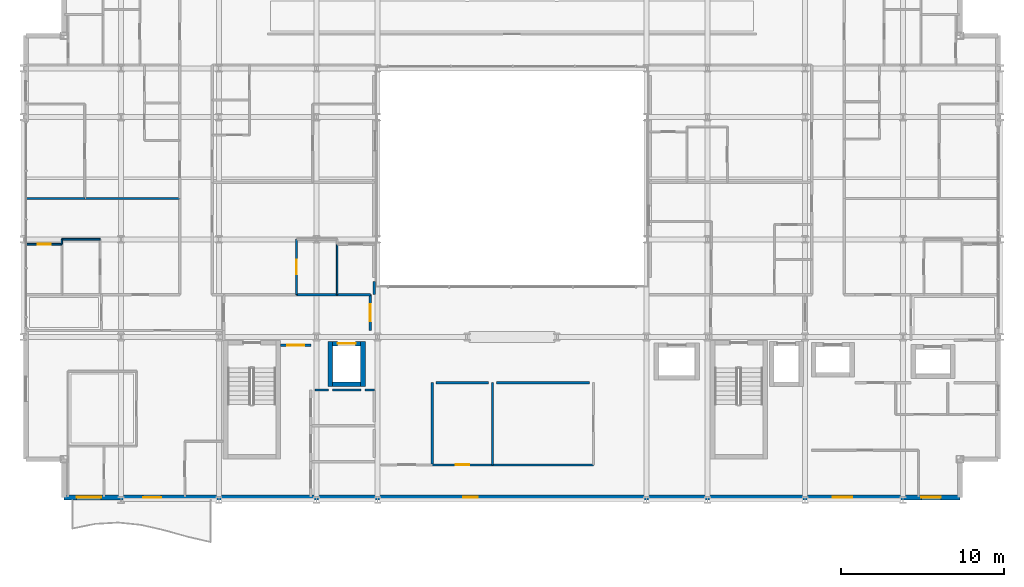
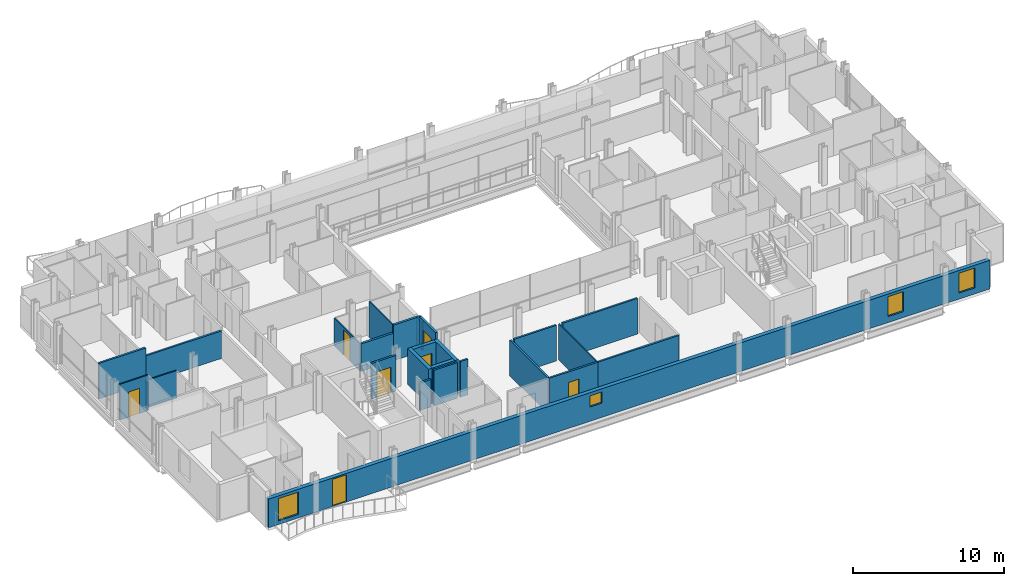
# One storey, part 32 of 41: 26 walls, 7 doors, 4 windows, 11 openings.
"""IFC4 building model written with IfcOpenShell, lengths in metres."""

from ifc_helpers import new_model, si_unit, direction, frame, frame_2d, origin, place, context, subcontext, project, spatial, rectangle, extrude, material, layer, layer_set, type_object, element, fill, save


model = new_model("IFC4")

# Units and contexts
model_context = context("Model", 3, precision=1e-05, world=origin(), true_north=direction((0.0, 1.0)))
body_context = subcontext(model_context, "Body", "Model", "MODEL_VIEW")
ifc_project = project(units=[si_unit("LENGTHUNIT", "METRE"), si_unit("AREAUNIT", "SQUARE_METRE"), si_unit("VOLUMEUNIT", "CUBIC_METRE"), si_unit("PLANEANGLEUNIT", "RADIAN"), si_unit("MASSUNIT", "GRAM", prefix="KILO")], contexts=[model_context])

# Site, building, storey
site_placement = place(None, origin())
site = spatial("IfcSite", under=ifc_project, at=site_placement, CompositionType="ELEMENT")
building_placement = place(site_placement, origin())
building = spatial("IfcBuilding", under=site, at=building_placement, Name="Brevholm Reach", CompositionType="ELEMENT")
storey_placement = place(building_placement, frame((0.0, 0.0, 55.89990234375)))
storey = spatial("IfcBuildingStorey", under=building, at=storey_placement, Name="L15", CompositionType="ELEMENT", Elevation=55.89990234375)

# Walls
ifc_material_1 = material(Name="Concrete C50/60", Category="concrete")
ifc_layer_1 = layer(ifc_material_1, 0.280029296875)
ifc_layer_set_1 = layer_set([ifc_layer_1], Name="Concrete C50/60")
wall_type_1 = type_object("IfcWallType", Name="WAL-COR-280", PredefinedType="SHEAR", material=ifc_layer_set_1)
for number, where, z_axis, x_axis, name in (
    (1, (18.85009765625, 6.9599609375, 0.0), (0.0, 0.0, 1.0), (0.0, 1.0, 0.0), "L15 Lift FFL-1 Shaft Wall W"),
    (2, (20.85009765625, 6.9599609375, 0.0), (0.0, 0.0, 1.0), (0.0, 1.0, 0.0), "L15 Lift FFL-1 Shaft Wall E"),
):
    element("IfcWall", number, at=place(storey_placement, frame(where, z_axis=z_axis, x_axis=x_axis)), inside=storey, type_object=wall_type_1, Name=name, PredefinedType="SHEAR", context=body_context, shape_type="SweptSolid", body=[
        extrude(rectangle(XDim=2.780029296875, YDim=0.280029296875, at=frame_2d((1.39013671875, 0.0))), origin(), (0.0, 0.0, 1.0), 2.8701171875),
    ])
wall_1_placement = place(storey_placement, frame((18.989990234375, 7.10009765625, 0.0), z_axis=(0.0, 0.0, 1.0), x_axis=(1.0, 0.0, 0.0)))
element("IfcWall", 3, at=wall_1_placement, inside=storey, type_object=wall_type_1, Name="L15 Lift FFL-1 Shaft Wall S", PredefinedType="SHEAR", context=body_context, shape_type="SweptSolid", body=[
    extrude(rectangle(XDim=1.719970703125, YDim=0.280029296875, at=frame_2d((0.85986328125, 0.0))), origin(), (0.0, 0.0, 1.0), 2.8701171875),
])

# Wall, opening, door
wall_2_placement = place(storey_placement, frame((18.989990234375, 9.60009765625, 0.0), z_axis=(0.0, 0.0, 1.0), x_axis=(1.0, 0.0, 0.0)))
wall_2 = element("IfcWall", 4, at=wall_2_placement, inside=storey, type_object=wall_type_1, Name="L15 Lift FFL-1 Shaft Wall N", PredefinedType="SHEAR", context=body_context, shape_type="SweptSolid", body=[
    extrude(rectangle(XDim=1.719970703125, YDim=0.280029296875, at=frame_2d((0.85986328125, 0.0))), origin(), (0.0, 0.0, 1.0), 2.8701171875),
])
opening_1_placement = place(wall_2_placement, frame((0.31005859375, 0.0, 0.0)))
opening_1 = element("IfcOpeningElement", 5, at=opening_1_placement, cuts=wall_2, Name="Opening LD-FFL-1", PredefinedType="OPENING", context=body_context, shape_type="SweptSolid", body=[
    extrude(rectangle(XDim=1.10009765625, YDim=2.06005859375, at=frame_2d((0.550048828125, 1.030029296875))), frame((0.0, 0.14990234375, 0.0), z_axis=(0.0, -1.0, 0.0), x_axis=(1.0, 0.0, 0.0)), (0.0, 0.0, 1.0), 0.300048828125),
])
ifc_material_2 = material(Name="Brushed Stainless Steel Fire-Rated Sliding Lift Door", Category="steel")
door_type_1 = type_object("IfcDoorType", Name="DOR-LFT-1100", OperationType="NOTDEFINED", PredefinedType="DOOR", material=ifc_material_2)
door_1_placement = place(opening_1_placement, origin())
door_1 = element("IfcDoor", 6, at=door_1_placement, inside=storey, type_object=door_type_1, Name="L15 Lift FFL-1 Sliding Landing Door", OperationType="SLIDING_TO_LEFT", OverallHeight=2.06005859375, OverallWidth=1.10009765625, PredefinedType="DOOR", context=body_context, shape_type="SweptSolid", body=[
    extrude(rectangle(XDim=1.10009765625, YDim=2.06005859375, at=frame_2d((0.550048828125, 1.030029296875))), frame((0.0, 0.02490234375, 0.0), z_axis=(0.0, -1.0, 0.0), x_axis=(1.0, 0.0, 0.0)), (0.0, 0.0, 1.0), 0.050048828125),
])
fill(opening_1, door_1)

# Wall, openings, door, windows
ifc_material_3 = material(Name="Concrete C40/50", Category="concrete")
ifc_layer_2 = layer(ifc_material_3, 0.300048828125)
ifc_layer_set_2 = layer_set([ifc_layer_2], Name="Concrete C40/50")
wall_type_2 = type_object("IfcWallType", Name="WAL-EXT-300", PredefinedType="STANDARD", material=ifc_layer_set_2)
wall_3_placement = place(storey_placement, frame((2.5, 0.14990234375, 0.0), z_axis=(0.0, 0.0, 1.0), x_axis=(1.0, 0.0, 0.0)))
wall_3 = element("IfcWall", 7, at=wall_3_placement, inside=storey, type_object=wall_type_2, Name="L15 Facade Wall WAL-L15-S", PredefinedType="STANDARD", context=body_context, shape_type="SweptSolid", body=[
    extrude(rectangle(XDim=55.0, YDim=0.300048828125, at=frame_2d((27.5, 0.0))), origin(), (0.0, 0.0, 1.0), 2.3056640625),
])
opening_2_placement = place(wall_3_placement, frame((4.85009765625, 0.0, 0.0)))
opening_2 = element("IfcOpeningElement", 8, at=opening_2_placement, cuts=wall_3, Name="Opening BD-01", PredefinedType="OPENING", context=body_context, shape_type="SweptSolid", body=[
    extrude(rectangle(XDim=1.10009765625, YDim=2.199951171875, at=frame_2d((0.550048828125, 1.10009765625))), frame((0.0, 0.159912109375, 0.0), z_axis=(0.0, -1.0, 0.0), x_axis=(1.0, 0.0, 0.0)), (0.0, 0.0, 1.0), 0.320068359375),
])
opening_3_placement = place(wall_3_placement, frame((0.76708984375, 0.0, 0.285888671875)))
opening_3 = element("IfcOpeningElement", 9, at=opening_3_placement, cuts=wall_3, Name="Opening WN-05", PredefinedType="OPENING", context=body_context, shape_type="SweptSolid", body=[
    extrude(rectangle(XDim=1.5, YDim=1.800048828125, at=frame_2d((0.75, 0.89990234375))), frame((0.0, 0.159912109375, 0.0), z_axis=(0.0, -1.0, 0.0), x_axis=(1.0, 0.0, 0.0)), (0.0, 0.0, 1.0), 0.320068359375),
])
opening_4_placement = place(wall_3_placement, frame((24.5, 0.0, 1.14990234375)))
opening_4 = element("IfcOpeningElement", 10, at=opening_4_placement, cuts=wall_3, Name="Opening WN-09", PredefinedType="OPENING", context=body_context, shape_type="SweptSolid", body=[
    extrude(rectangle(XDim=0.89990234375, YDim=0.89990234375, at=frame_2d((0.449951171875, 0.449951171875))), frame((0.0, 0.159912109375, 0.0), z_axis=(0.0, -1.0, 0.0), x_axis=(1.0, 0.0, 0.0)), (0.0, 0.0, 1.0), 0.320068359375),
])
opening_5_placement = place(wall_3_placement, frame((47.199951171875, 0.0, 0.486083984375)))
opening_5 = element("IfcOpeningElement", 11, at=opening_5_placement, cuts=wall_3, Name="Opening WN-08", PredefinedType="OPENING", context=body_context, shape_type="SweptSolid", body=[
    extrude(rectangle(XDim=1.199951171875, YDim=1.60009765625, at=frame_2d((0.60009765625, 0.800048828125))), frame((0.0, 0.159912109375, 0.0), z_axis=(0.0, -1.0, 0.0), x_axis=(1.0, 0.0, 0.0)), (0.0, 0.0, 1.0), 0.320068359375),
])
opening_6_placement = place(wall_3_placement, frame((52.6298828125, 0.0, 0.486083984375)))
opening_6 = element("IfcOpeningElement", 12, at=opening_6_placement, cuts=wall_3, Name="Opening WN-08", PredefinedType="OPENING", context=body_context, shape_type="SweptSolid", body=[
    extrude(rectangle(XDim=1.199951171875, YDim=1.60009765625, at=frame_2d((0.60009765625, 0.800048828125))), frame((0.0, 0.159912109375, 0.0), z_axis=(0.0, -1.0, 0.0), x_axis=(1.0, 0.0, 0.0)), (0.0, 0.0, 1.0), 0.320068359375),
])
ifc_material_4 = material(Name="Dark Anodised Aluminium and Triple-Glazed Glass", Category="aluminium")
door_type_2 = type_object("IfcDoorType", Name="DOR-BALC-1100", OperationType="NOTDEFINED", PredefinedType="DOOR", material=ifc_material_4)
door_2_placement = place(opening_2_placement, origin())
door_2 = element("IfcDoor", 13, at=door_2_placement, inside=storey, type_object=door_type_2, Name="L15 Exterior Door DOR-L15-BL-SW", OperationType="SINGLE_SWING_RIGHT", OverallHeight=2.199951171875, OverallWidth=1.10009765625, PredefinedType="DOOR", context=body_context, shape_type="SweptSolid", body=[
    extrude(rectangle(XDim=1.10009765625, YDim=2.199951171875, at=frame_2d((0.550048828125, 1.10009765625))), frame((0.0, 0.02490234375, 0.0), z_axis=(0.0, -1.0, 0.0), x_axis=(1.0, 0.0, 0.0)), (0.0, 0.0, 1.0), 0.050048828125),
])
fill(opening_2, door_2)
ifc_material_5 = material(Name="Dark Anodised Aluminium and Solar-Control IGU Glass", Category="aluminium")
window_type_1 = type_object("IfcWindowType", Name="WIN-POR-0900", PartitioningType="SINGLE_PANEL", PredefinedType="WINDOW", material=ifc_material_5)
window_1_placement = place(opening_4_placement, origin())
window_1 = element("IfcWindow", 14, at=window_1_placement, inside=storey, type_object=window_type_1, Name="L15 Window WIN-L15-S-POR", OverallHeight=0.89990234375, OverallWidth=0.89990234375, PartitioningType="SINGLE_PANEL", PredefinedType="WINDOW", context=body_context, shape_type="SweptSolid", body=[
    extrude(rectangle(XDim=0.89990234375, YDim=0.89990234375, at=frame_2d((0.449951171875, 0.449951171875))), frame((0.0, 0.030029296875, 0.0), z_axis=(0.0, -1.0, 0.0), x_axis=(1.0, 0.0, 0.0)), (0.0, 0.0, 1.0), 0.06005859375),
])
fill(opening_4, window_1)
ifc_material_6 = material(Name="Dark Anodised Aluminium and Solar-Control IGU Glass", Category="aluminium")
window_type_2 = type_object("IfcWindowType", Name="WIN-RES-1200", PartitioningType="SINGLE_PANEL", PredefinedType="WINDOW", material=ifc_material_6)
window_2_placement = place(opening_5_placement, origin())
window_2 = element("IfcWindow", 15, at=window_2_placement, inside=storey, type_object=window_type_2, Name="L15 Window WIN-L15-S-E1", OverallHeight=1.60009765625, OverallWidth=1.199951171875, PartitioningType="SINGLE_PANEL", PredefinedType="WINDOW", context=body_context, shape_type="SweptSolid", body=[
    extrude(rectangle(XDim=1.199951171875, YDim=1.60009765625, at=frame_2d((0.60009765625, 0.800048828125))), frame((0.0, 0.030029296875, 0.0), z_axis=(0.0, -1.0, 0.0), x_axis=(1.0, 0.0, 0.0)), (0.0, 0.0, 1.0), 0.06005859375),
])
fill(opening_5, window_2)
window_3_placement = place(opening_6_placement, origin())
window_3 = element("IfcWindow", 16, at=window_3_placement, inside=storey, type_object=window_type_2, Name="L15 Window WIN-L15-S-E2", OverallHeight=1.60009765625, OverallWidth=1.199951171875, PartitioningType="SINGLE_PANEL", PredefinedType="WINDOW", context=body_context, shape_type="SweptSolid", body=[
    extrude(rectangle(XDim=1.199951171875, YDim=1.60009765625, at=frame_2d((0.60009765625, 0.800048828125))), frame((0.0, 0.030029296875, 0.0), z_axis=(0.0, -1.0, 0.0), x_axis=(1.0, 0.0, 0.0)), (0.0, 0.0, 1.0), 0.06005859375),
])
fill(opening_6, window_3)
ifc_material_7 = material(Name="Dark Anodised Aluminium and Solar-Control IGU Glass", Category="aluminium")
window_type_3 = type_object("IfcWindowType", Name="WIN-RES-1500", PartitioningType="SINGLE_PANEL", PredefinedType="WINDOW", material=ifc_material_7)
window_4_placement = place(opening_3_placement, origin())
window_4 = element("IfcWindow", 17, at=window_4_placement, inside=storey, type_object=window_type_3, Name="L15 Window WIN-L15-S-W1", OverallHeight=1.800048828125, OverallWidth=1.5, PartitioningType="SINGLE_PANEL", PredefinedType="WINDOW", context=body_context, shape_type="SweptSolid", body=[
    extrude(rectangle(XDim=1.5, YDim=1.800048828125, at=frame_2d((0.75, 0.89990234375))), frame((0.0, 0.030029296875, 0.0), z_axis=(0.0, -1.0, 0.0), x_axis=(1.0, 0.0, 0.0)), (0.0, 0.0, 1.0), 0.06005859375),
])
fill(opening_3, window_4)

# Wall
ifc_material_8 = material(Name="Moisture-Resistant Acoustic Gypsum Stud Partition 100 mm", Category="gypsum")
ifc_layer_3 = layer(ifc_material_8, 0.10009765625)
ifc_layer_set_3 = layer_set([ifc_layer_3], Name="Moisture-Resistant Acoustic Gypsum Stud Partition 100 mm")
wall_type_3 = type_object("IfcWallType", Name="WAL-PRT-100", PredefinedType="PARTITIONING", material=ifc_layer_set_3)
wall_4_placement = place(storey_placement, frame((28.800048828125, 2.154052734375, 0.0), z_axis=(0.0, 0.0, 1.0), x_axis=(0.0, 1.0, 0.0)))
element("IfcWall", 18, at=wall_4_placement, inside=storey, type_object=wall_type_3, Name="L15 Internal Partition 006", PredefinedType="PARTITIONING", context=body_context, shape_type="SweptSolid", body=[
    extrude(rectangle(XDim=5.0458984375, YDim=0.10009765625, at=frame_2d((2.52294921875, 0.0))), origin(), (0.0, 0.0, 1.0), 2.8701171875),
])

# Wall, opening, door
wall_5_placement = place(storey_placement, frame((0.199951171875, 15.699951171875, 0.0), z_axis=(0.0, 0.0, 1.0), x_axis=(1.0, 0.0, 0.0)))
wall_5 = element("IfcWall", 19, at=wall_5_placement, inside=storey, type_object=wall_type_3, Name="L15 Internal Partition 080", PredefinedType="PARTITIONING", context=body_context, shape_type="SweptSolid", body=[
    extrude(rectangle(XDim=2.162109375, YDim=0.10009765625, at=frame_2d((1.0810546875, 0.0))), origin(), (0.0, 0.0, 1.0), 2.8701171875),
])
opening_7_placement = place(wall_5_placement, frame((0.6708984375, 0.0, 0.0)))
opening_7 = element("IfcOpeningElement", 20, at=opening_7_placement, cuts=wall_5, Name="Opening ID-03", PredefinedType="OPENING", context=body_context, shape_type="SweptSolid", body=[
    extrude(rectangle(XDim=0.820068359375, YDim=2.02001953125, at=frame_2d((0.41015625, 1.010009765625))), frame((0.0, 0.06005859375, 0.0), z_axis=(0.0, -1.0, 0.0), x_axis=(1.0, 0.0, 0.0)), (0.0, 0.0, 1.0), 0.1201171875),
])
ifc_material_9 = material(Name="Moisture-Resistant Painted Timber Internal Bathroom Door", Category="wood")
door_type_3 = type_object("IfcDoorType", Name="DOR-BATH-820", OperationType="NOTDEFINED", PredefinedType="DOOR", material=ifc_material_9)
door_3_placement = place(opening_7_placement, origin())
door_3 = element("IfcDoor", 21, at=door_3_placement, inside=storey, type_object=door_type_3, Name="L15 Internal Door 033", OperationType="SINGLE_SWING_RIGHT", OverallHeight=2.02001953125, OverallWidth=0.820068359375, PredefinedType="DOOR", context=body_context, shape_type="SweptSolid", body=[
    extrude(rectangle(XDim=0.820068359375, YDim=2.02001953125, at=frame_2d((0.41015625, 1.010009765625))), frame((0.0, 0.02490234375, 0.0), z_axis=(0.0, -1.0, 0.0), x_axis=(1.0, 0.0, 0.0)), (0.0, 0.0, 1.0), 0.050048828125),
])
fill(opening_7, door_3)

# Walls
wall_6_placement = place(storey_placement, frame((2.362060546875, 16.0, 0.0), z_axis=(0.0, 0.0, 1.0), x_axis=(1.0, 0.0, 0.0)))
element("IfcWall", 22, at=wall_6_placement, inside=storey, type_object=wall_type_3, Name="L15 Internal Partition 082", PredefinedType="PARTITIONING", context=body_context, shape_type="SweptSolid", body=[
    extrude(rectangle(XDim=2.349853515625, YDim=0.10009765625, at=frame_2d((1.1748046875, 0.0))), origin(), (0.0, 0.0, 1.0), 2.224853515625),
])
wall_7_placement = place(storey_placement, frame((2.362060546875, 15.7041015625, 0.0), z_axis=(0.0, 0.0, 1.0), x_axis=(0.0, 1.0, 0.0)))
element("IfcWall", 23, at=wall_7_placement, inside=storey, type_object=wall_type_3, Name="L15 Internal Partition 083", PredefinedType="PARTITIONING", context=body_context, shape_type="SweptSolid", body=[
    extrude(rectangle(XDim=0.2958984375, YDim=0.10009765625, at=frame_2d((0.14794921875, 0.0))), origin(), (0.0, 0.0, 1.0), 2.224853515625),
])
wall_8_placement = place(storey_placement, frame((19.260986328125, 12.60400390625, 0.0), z_axis=(0.0, 0.0, 1.0), x_axis=(0.0, 1.0, 0.0)))
element("IfcWall", 24, at=wall_8_placement, inside=storey, type_object=wall_type_3, Name="L15 Internal Partition 097", PredefinedType="PARTITIONING", context=body_context, shape_type="SweptSolid", body=[
    extrude(rectangle(XDim=3.095947265625, YDim=0.10009765625, at=frame_2d((1.5478515625, 0.0))), origin(), (0.0, 0.0, 1.0), 2.8701171875),
])

# Wall, opening, door
wall_9_placement = place(storey_placement, frame((16.77294921875, 12.60400390625, 0.0), z_axis=(0.0, 0.0, 1.0), x_axis=(0.0, 1.0, 0.0)))
wall_9 = element("IfcWall", 25, at=wall_9_placement, inside=storey, type_object=wall_type_3, Name="L15 Internal Partition 101", PredefinedType="PARTITIONING", context=body_context, shape_type="SweptSolid", body=[
    extrude(rectangle(XDim=3.39599609375, YDim=0.10009765625, at=frame_2d((1.697998046875, 0.0))), origin(), (0.0, 0.0, 1.0), 2.224853515625),
])
opening_8_placement = place(wall_9_placement, frame((1.258056640625, 0.0, 0.0)))
opening_8 = element("IfcOpeningElement", 26, at=opening_8_placement, cuts=wall_9, Name="Opening ID-01", PredefinedType="OPENING", context=body_context, shape_type="SweptSolid", body=[
    extrude(rectangle(XDim=0.8798828125, YDim=2.0400390625, at=frame_2d((0.43994140625, 1.02001953125))), frame((0.0, 0.06005859375, 0.0), z_axis=(0.0, -1.0, 0.0), x_axis=(1.0, 0.0, 0.0)), (0.0, 0.0, 1.0), 0.1201171875),
])
ifc_material_10 = material(Name="Lacquered Ash Solid-Core Acoustic Internal Door", Category="timber")
door_type_4 = type_object("IfcDoorType", Name="DOR-INT-880", OperationType="NOTDEFINED", PredefinedType="DOOR", material=ifc_material_10)
door_4_placement = place(opening_8_placement, origin())
door_4 = element("IfcDoor", 27, at=door_4_placement, inside=storey, type_object=door_type_4, Name="L15 Internal Door 039", OperationType="SINGLE_SWING_RIGHT", OverallHeight=2.0400390625, OverallWidth=0.8798828125, PredefinedType="DOOR", context=body_context, shape_type="SweptSolid", body=[
    extrude(rectangle(XDim=0.8798828125, YDim=2.0400390625, at=frame_2d((0.43994140625, 1.02001953125))), frame((0.0, 0.02490234375, 0.0), z_axis=(0.0, -1.0, 0.0), x_axis=(1.0, 0.0, 0.0)), (0.0, 0.0, 1.0), 0.050048828125),
])
fill(opening_8, door_4)

ifc_material_11 = material(Name="Twin-Stud Acoustic Fire-Rated Gypsum Partition 140 mm", Category="gypsum")
ifc_layer_4 = layer(ifc_material_11, 0.139892578125)
ifc_layer_set_4 = layer_set([ifc_layer_4], Name="Twin-Stud Acoustic Fire-Rated Gypsum Partition 140 mm")
wall_type_4 = type_object("IfcWallType", Name="WAL-PRT-140", PredefinedType="PARTITIONING", material=ifc_layer_set_4)
wall_10_placement = place(storey_placement, frame((25.0927734375, 2.14990234375, 0.0), z_axis=(0.0, 0.0, 1.0), x_axis=(1.0, 0.0, 0.0)))
wall_10 = element("IfcWall", 28, at=wall_10_placement, inside=storey, type_object=wall_type_4, Name="L15 Internal Partition 003", PredefinedType="PARTITIONING", context=body_context, shape_type="SweptSolid", body=[
    extrude(rectangle(XDim=3.718505859375, YDim=0.139892578125, at=frame_2d((1.859375, 0.0))), origin(), (0.0, 0.0, 1.0), 2.8701171875),
])
opening_9_placement = place(wall_10_placement, frame((1.44921875, 0.0, 0.0)))
opening_9 = element("IfcOpeningElement", 29, at=opening_9_placement, cuts=wall_10, Name="Opening ID-02", PredefinedType="OPENING", context=body_context, shape_type="SweptSolid", body=[
    extrude(rectangle(XDim=0.820068359375, YDim=2.02001953125, at=frame_2d((0.41015625, 1.010009765625))), frame((0.0, 0.079833984375, 0.0), z_axis=(0.0, -1.0, 0.0), x_axis=(1.0, 0.0, 0.0)), (0.0, 0.0, 1.0), 0.159912109375),
])
ifc_material_12 = material(Name="Moisture-Resistant Painted Timber Fire-Rated Riser and Service Door", Category="wood")
door_type_5 = type_object("IfcDoorType", Name="DOR-SRV-820", OperationType="NOTDEFINED", PredefinedType="DOOR", material=ifc_material_12)
door_5_placement = place(opening_9_placement, origin())
door_5 = element("IfcDoor", 30, at=door_5_placement, inside=storey, type_object=door_type_5, Name="L15 Internal Door 003", OperationType="SINGLE_SWING_RIGHT", OverallHeight=2.02001953125, OverallWidth=0.820068359375, PredefinedType="DOOR", context=body_context, shape_type="SweptSolid", body=[
    extrude(rectangle(XDim=0.820068359375, YDim=2.02001953125, at=frame_2d((0.41015625, 1.010009765625))), frame((0.0, 0.02490234375, 0.0), z_axis=(0.0, -1.0, 0.0), x_axis=(1.0, 0.0, 0.0)), (0.0, 0.0, 1.0), 0.050048828125),
])
fill(opening_9, door_5)

# Walls
wall_11_placement = place(storey_placement, frame((28.792724609375, 2.14990234375, 0.0), z_axis=(0.0, 0.0, 1.0), x_axis=(1.0, 0.0, 0.0)))
element("IfcWall", 31, at=wall_11_placement, inside=storey, type_object=wall_type_4, Name="L15 Internal Partition 004", PredefinedType="PARTITIONING", context=body_context, shape_type="SweptSolid", body=[
    extrude(rectangle(XDim=6.203369140625, YDim=0.139892578125, at=frame_2d((3.1015625, 0.0))), origin(), (0.0, 0.0, 1.0), 2.8701171875),
])
wall_12_placement = place(storey_placement, frame((25.10009765625, 2.154052734375, 0.0), z_axis=(0.0, 0.0, 1.0), x_axis=(0.0, 1.0, 0.0)))
element("IfcWall", 32, at=wall_12_placement, inside=storey, type_object=wall_type_4, Name="L15 Internal Partition 005", PredefinedType="PARTITIONING", context=body_context, shape_type="SweptSolid", body=[
    extrude(rectangle(XDim=5.0458984375, YDim=0.139892578125, at=frame_2d((2.52294921875, 0.0))), origin(), (0.0, 0.0, 1.0), 2.8701171875),
])
wall_13_placement = place(storey_placement, frame((0.199951171875, 18.5, 0.0), z_axis=(0.0, 0.0, 1.0), x_axis=(1.0, 0.0, 0.0)))
element("IfcWall", 33, at=wall_13_placement, inside=storey, type_object=wall_type_4, Name="L15 Internal Partition 084", PredefinedType="PARTITIONING", context=body_context, shape_type="SweptSolid", body=[
    extrude(rectangle(XDim=3.583251953125, YDim=0.139892578125, at=frame_2d((1.79150390625, 0.0))), origin(), (0.0, 0.0, 1.0), 2.8701171875),
])
wall_14_placement = place(storey_placement, frame((3.7646484375, 18.5, 0.0), z_axis=(0.0, 0.0, 1.0), x_axis=(1.0, 0.0, 0.0)))
element("IfcWall", 34, at=wall_14_placement, inside=storey, type_object=wall_type_4, Name="L15 Internal Partition 085", PredefinedType="PARTITIONING", context=body_context, shape_type="SweptSolid", body=[
    extrude(rectangle(XDim=5.831298828125, YDim=0.139892578125, at=frame_2d((2.91552734375, 0.0))), origin(), (0.0, 0.0, 1.0), 2.224853515625),
])
wall_15_placement = place(storey_placement, frame((25.340087890625, 7.199951171875, 0.0), z_axis=(0.0, 0.0, 1.0), x_axis=(1.0, 0.0, 0.0)))
element("IfcWall", 35, at=wall_15_placement, inside=storey, type_object=wall_type_4, Name="L15 Internal Partition 154", PredefinedType="PARTITIONING", context=body_context, shape_type="SweptSolid", body=[
    extrude(rectangle(XDim=3.219970703125, YDim=0.139892578125, at=frame_2d((1.60986328125, 0.0))), origin(), (0.0, 0.0, 1.0), 2.8701171875),
])
wall_16_placement = place(storey_placement, frame((29.0400390625, 7.199951171875, 0.0), z_axis=(0.0, 0.0, 1.0), x_axis=(1.0, 0.0, 0.0)))
element("IfcWall", 36, at=wall_16_placement, inside=storey, type_object=wall_type_4, Name="L15 Internal Partition 155", PredefinedType="PARTITIONING", context=body_context, shape_type="SweptSolid", body=[
    extrude(rectangle(XDim=5.719970703125, YDim=0.139892578125, at=frame_2d((2.85986328125, 0.0))), origin(), (0.0, 0.0, 1.0), 2.8701171875),
])
wall_17_placement = place(storey_placement, frame((20.9658203125, 6.75, 0.0), z_axis=(0.0, 0.0, 1.0), x_axis=(1.0, 0.0, 0.0)))
element("IfcWall", 37, at=wall_17_placement, inside=storey, type_object=wall_type_4, Name="L15 Internal Partition 158", PredefinedType="PARTITIONING", context=body_context, shape_type="SweptSolid", body=[
    extrude(rectangle(XDim=0.584228515625, YDim=0.139892578125, at=frame_2d((0.2919921875, 0.0))), origin(), (0.0, 0.0, 1.0), 2.8701171875),
])
wall_18_placement = place(storey_placement, frame((18.9658203125, 6.75, 0.0), z_axis=(0.0, 0.0, 1.0), x_axis=(1.0, 0.0, 0.0)))
element("IfcWall", 38, at=wall_18_placement, inside=storey, type_object=wall_type_4, Name="L15 Internal Partition 159", PredefinedType="PARTITIONING", context=body_context, shape_type="SweptSolid", body=[
    extrude(rectangle(XDim=1.768310546875, YDim=0.139892578125, at=frame_2d((0.88427734375, 0.0))), origin(), (0.0, 0.0, 1.0), 2.8701171875),
])
wall_19_placement = place(storey_placement, frame((17.889892578125, 6.75, 0.0), z_axis=(0.0, 0.0, 1.0), x_axis=(1.0, 0.0, 0.0)))
element("IfcWall", 39, at=wall_19_placement, inside=storey, type_object=wall_type_4, Name="L15 Internal Partition 160", PredefinedType="PARTITIONING", context=body_context, shape_type="SweptSolid", body=[
    extrude(rectangle(XDim=0.84423828125, YDim=0.139892578125, at=frame_2d((0.422119140625, 0.0))), origin(), (0.0, 0.0, 1.0), 2.224853515625),
])
wall_20_placement = place(storey_placement, frame((21.550048828125, 12.60400390625, 0.0), z_axis=(0.0, 0.0, 1.0), x_axis=(0.0, 1.0, 0.0)))
element("IfcWall", 40, at=wall_20_placement, inside=storey, type_object=wall_type_4, Name="L15 Internal Partition 161", PredefinedType="PARTITIONING", context=body_context, shape_type="SweptSolid", body=[
    extrude(rectangle(XDim=0.811279296875, YDim=0.139892578125, at=frame_2d((0.40576171875, 0.0))), origin(), (0.0, 0.0, 1.0), 2.224853515625),
])

# Wall, opening, door
ifc_material_13 = material(Name="Twin-Frame Fire-Rated Gypsum Board and Mineral Wool 160 mm", Category="gypsum")
ifc_layer_5 = layer(ifc_material_13, 0.159912109375)
ifc_layer_set_5 = layer_set([ifc_layer_5], Name="Twin-Frame Fire-Rated Gypsum Board and Mineral Wool 160 mm")
wall_type_5 = type_object("IfcWallType", Name="WAL-PRT-160", PredefinedType="PARTITIONING", material=ifc_layer_set_5)
wall_21_placement = place(storey_placement, frame((15.800048828125, 9.5, 0.0), z_axis=(0.0, 0.0, 1.0), x_axis=(1.0, 0.0, 0.0)))
wall_21 = element("IfcWall", 41, at=wall_21_placement, inside=storey, type_object=wall_type_5, Name="L15 Internal Partition 010", PredefinedType="PARTITIONING", context=body_context, shape_type="SweptSolid", body=[
    extrude(rectangle(XDim=1.849853515625, YDim=0.159912109375, at=frame_2d((0.9248046875, 0.0))), origin(), (0.0, 0.0, 1.0), 2.8701171875),
])
opening_10_placement = place(wall_21_placement, frame((0.39990234375, 0.0, 0.0)))
opening_10 = element("IfcOpeningElement", 42, at=opening_10_placement, cuts=wall_21, Name="Opening FD-01", PredefinedType="OPENING", context=body_context, shape_type="SweptSolid", body=[
    extrude(rectangle(XDim=1.050048828125, YDim=2.06005859375, at=frame_2d((0.52490234375, 1.030029296875))), frame((0.0, 0.08984375, 0.0), z_axis=(0.0, -1.0, 0.0), x_axis=(1.0, 0.0, 0.0)), (0.0, 0.0, 1.0), 0.179931640625),
])
ifc_material_14 = material(Name="Hardwood-Lipped Steel-Core Fire and Smoke Door", Category="steel")
door_type_6 = type_object("IfcDoorType", Name="DOR-INT-FD60S", OperationType="NOTDEFINED", PredefinedType="DOOR", material=ifc_material_14)
door_6_placement = place(opening_10_placement, origin())
door_6 = element("IfcDoor", 43, at=door_6_placement, inside=storey, type_object=door_type_6, Name="L15 Internal Door 007", OperationType="SINGLE_SWING_RIGHT", OverallHeight=2.06005859375, OverallWidth=1.050048828125, PredefinedType="DOOR", context=body_context, shape_type="SweptSolid", body=[
    extrude(rectangle(XDim=1.050048828125, YDim=2.06005859375, at=frame_2d((0.52490234375, 1.030029296875))), frame((0.0, 0.02490234375, 0.0), z_axis=(0.0, -1.0, 0.0), x_axis=(1.0, 0.0, 0.0)), (0.0, 0.0, 1.0), 0.050048828125),
])
fill(opening_10, door_6)

wall_22_placement = place(storey_placement, frame((21.300048828125, 10.388671875, 0.0), z_axis=(0.0, 0.0, 1.0), x_axis=(0.0, 1.0, 0.0)))
wall_22 = element("IfcWall", 44, at=wall_22_placement, inside=storey, type_object=wall_type_5, Name="L15 Internal Partition 018", PredefinedType="PARTITIONING", context=body_context, shape_type="SweptSolid", body=[
    extrude(rectangle(XDim=2.21142578125, YDim=0.159912109375, at=frame_2d((1.105712890625, 0.0))), origin(), (0.0, 0.0, 1.0), 2.8701171875),
])
opening_11_placement = place(wall_22_placement, frame((0.58056640625, 0.0, 0.0)))
opening_11 = element("IfcOpeningElement", 45, at=opening_11_placement, cuts=wall_22, Name="Opening FD-01", PredefinedType="OPENING", context=body_context, shape_type="SweptSolid", body=[
    extrude(rectangle(XDim=1.050048828125, YDim=2.06005859375, at=frame_2d((0.52490234375, 1.030029296875))), frame((0.0, 0.08984375, 0.0), z_axis=(0.0, -1.0, 0.0), x_axis=(1.0, 0.0, 0.0)), (0.0, 0.0, 1.0), 0.179931640625),
])
door_7_placement = place(opening_11_placement, origin())
door_7 = element("IfcDoor", 46, at=door_7_placement, inside=storey, type_object=door_type_6, Name="L15 Internal Door 012", OperationType="SINGLE_SWING_LEFT", OverallHeight=2.06005859375, OverallWidth=1.050048828125, PredefinedType="DOOR", context=body_context, shape_type="SweptSolid", body=[
    extrude(rectangle(XDim=1.050048828125, YDim=2.06005859375, at=frame_2d((0.52490234375, 1.030029296875))), frame((0.0, 0.02490234375, 0.0), z_axis=(0.0, -1.0, 0.0), x_axis=(1.0, 0.0, 0.0)), (0.0, 0.0, 1.0), 0.050048828125),
])
fill(opening_11, door_7)

# Walls
wall_23_placement = place(storey_placement, frame((19.249755859375, 12.60009765625, 0.0), z_axis=(0.0, 0.0, 1.0), x_axis=(1.0, 0.0, 0.0)))
element("IfcWall", 47, at=wall_23_placement, inside=storey, type_object=wall_type_5, Name="L15 Internal Partition 020", PredefinedType="PARTITIONING", context=body_context, shape_type="SweptSolid", body=[
    extrude(rectangle(XDim=2.05029296875, YDim=0.159912109375, at=frame_2d((1.025146484375, 0.0))), origin(), (0.0, 0.0, 1.0), 2.8701171875),
])
wall_24_placement = place(storey_placement, frame((16.76171875, 12.60009765625, 0.0), z_axis=(0.0, 0.0, 1.0), x_axis=(1.0, 0.0, 0.0)))
element("IfcWall", 48, at=wall_24_placement, inside=storey, type_object=wall_type_5, Name="L15 Internal Partition 021", PredefinedType="PARTITIONING", context=body_context, shape_type="SweptSolid", body=[
    extrude(rectangle(XDim=2.506591796875, YDim=0.159912109375, at=frame_2d((1.25341796875, 0.0))), origin(), (0.0, 0.0, 1.0), 2.224853515625),
])

save(model, "model.ifc")
